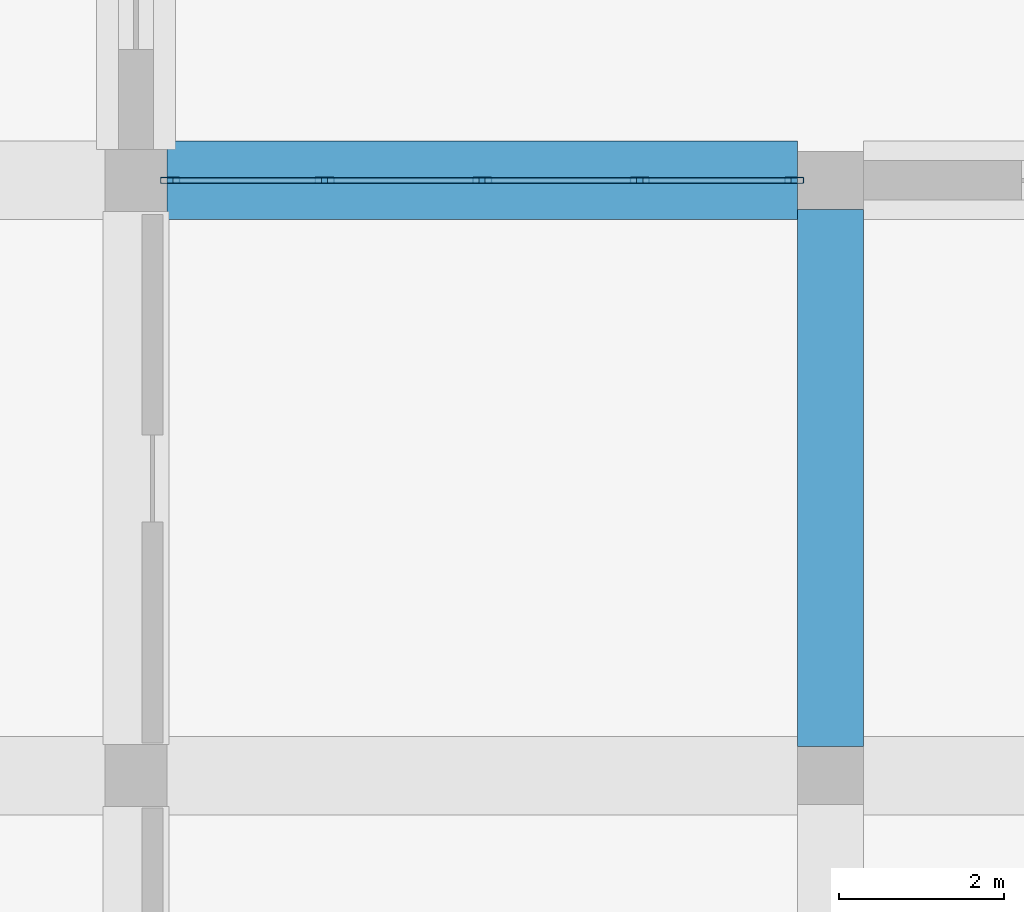
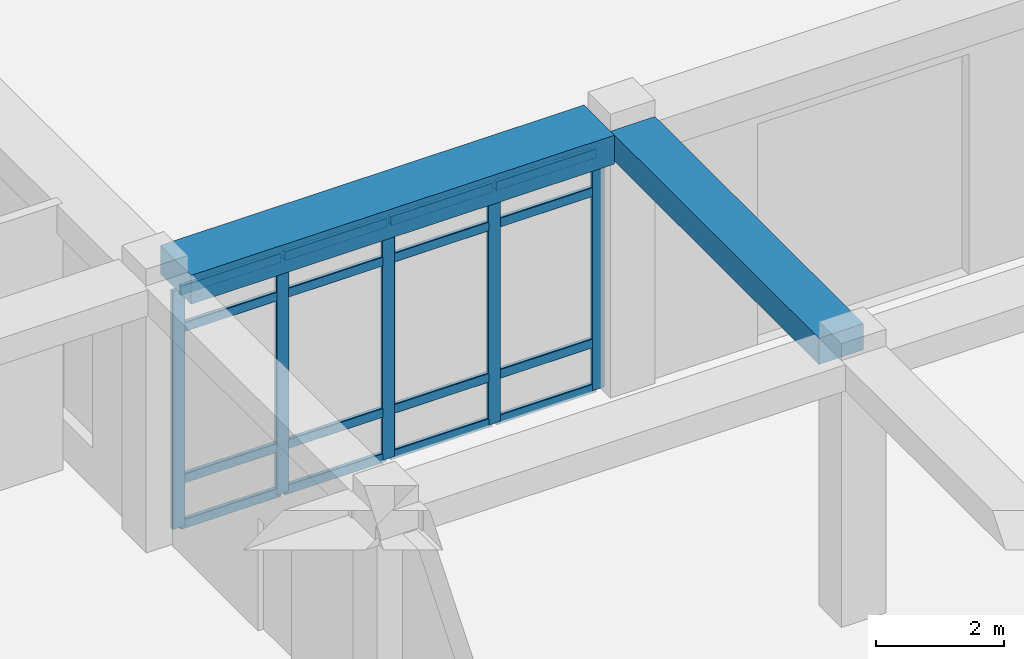
# One storey, part 37 of 84: 21 members, 2 beams, 1 element without a shape of its own.
"""IFC4 building model written with IfcOpenShell, lengths in metres."""

from ifc_helpers import new_model, si_unit, derived_unit, direction, frame, origin, origin_2d, place, context, subcontext, project, spatial, rectangle, hollow_rectangle, extrude, material, material_profile, profile_set, type_object, element, aggregate, save


model = new_model("IFC4")

# Units and contexts
model_context = context("Model", 3, precision=1e-05, world=origin(), true_north=direction((0.0, 1.0)))
body_context = subcontext(model_context, "Body", "Model", "MODEL_VIEW")
ifc_project = project(units=[si_unit("LENGTHUNIT", "METRE"), si_unit("AREAUNIT", "SQUARE_METRE"), si_unit("VOLUMEUNIT", "CUBIC_METRE"), si_unit("PLANEANGLEUNIT", "RADIAN"), si_unit("MASSUNIT", "GRAM", prefix="KILO"), derived_unit("THERMALTRANSMITTANCEUNIT", [(si_unit("POWERUNIT", "WATT"), 1), (si_unit("LENGTHUNIT", "METRE"), -2), (si_unit("THERMODYNAMICTEMPERATUREUNIT", "KELVIN"), -1)])], contexts=[model_context])

# Site, building, storey
site_placement = place(None, origin())
site = spatial("IfcSite", under=ifc_project, at=site_placement, CompositionType="ELEMENT")
building_placement = place(site_placement, origin())
building = spatial("IfcBuilding", under=site, at=building_placement, Name="Veybourne Emporium", CompositionType="ELEMENT")
storey_placement = place(building_placement, origin())
storey = spatial("IfcBuildingStorey", under=building, at=storey_placement, Name="L00", CompositionType="ELEMENT", Elevation=0.0)

# Curtain wall, members
ifc_material_1 = material(Name="Patinated Architectural Bronze", Category="bronze")
curtain_wall_type = type_object("IfcCurtainWallType", Name="CWSystem_CWS-10", PredefinedType="NOTDEFINED", material=ifc_material_1)
curtain_wall_placement = place(storey_placement, origin())
curtain_wall = element("IfcCurtainWall", 1, at=curtain_wall_placement, inside=storey, type_object=curtain_wall_type, Name="L00 bronze glazed curtain wall CWS-10 (056)", PredefinedType="NOTDEFINED")
ifc_material_profile_1 = material_profile(ifc_material_1, hollow_rectangle(XDim=0.074951171875, YDim=0.22998046875, WallThickness=0.0048828125, InnerFilletRadius=0.007568359375, OuterFilletRadius=0.012451171875, at=origin_2d()), Name="CWM 75x230x5")
ifc_profile_set_1 = profile_set([ifc_material_profile_1], Name="Patinated Architectural Bronze")
member_type_1 = type_object("IfcMemberType", Name="CWMullion_CW-M2", PredefinedType="MULLION", material=ifc_profile_set_1)
member_1_placement = place(storey_placement, frame((101.21240234375, 93.60009765625, 0.0), z_axis=(0.0, 0.0, 1.0), x_axis=(0.0, 1.0, 0.0)))
member_1 = element("IfcMember", 2, at=member_1_placement, type_object=member_type_1, Name="CWS-10 mullion 1", PredefinedType="MULLION", context=body_context, shape_type="SweptSolid", body=[
    extrude(hollow_rectangle(XDim=0.074951171875, YDim=0.22998046875, WallThickness=0.0048828125, InnerFilletRadius=0.007568359375, OuterFilletRadius=0.012451171875, at=origin_2d()), origin(), (0.0, 0.0, 1.0), 4.530029296875),
])
member_2_placement = place(storey_placement, frame((103.081298828125, 93.60009765625, 0.0), z_axis=(0.0, 0.0, 1.0), x_axis=(0.0, 1.0, 0.0)))
member_2 = element("IfcMember", 3, at=member_2_placement, type_object=member_type_1, Name="CWS-10 mullion 2", PredefinedType="MULLION", context=body_context, shape_type="SweptSolid", body=[
    extrude(hollow_rectangle(XDim=0.074951171875, YDim=0.22998046875, WallThickness=0.0048828125, InnerFilletRadius=0.007568359375, OuterFilletRadius=0.012451171875, at=origin_2d()), origin(), (0.0, 0.0, 1.0), 4.530029296875),
])
member_3_placement = place(storey_placement, frame((104.987548828125, 93.60009765625, 0.0), z_axis=(0.0, 0.0, 1.0), x_axis=(0.0, 1.0, 0.0)))
member_3 = element("IfcMember", 4, at=member_3_placement, type_object=member_type_1, Name="CWS-10 mullion 3", PredefinedType="MULLION", context=body_context, shape_type="SweptSolid", body=[
    extrude(hollow_rectangle(XDim=0.074951171875, YDim=0.22998046875, WallThickness=0.0048828125, InnerFilletRadius=0.007568359375, OuterFilletRadius=0.012451171875, at=origin_2d()), origin(), (0.0, 0.0, 1.0), 4.530029296875),
])
member_4_placement = place(storey_placement, frame((106.893798828125, 93.60009765625, 0.0), z_axis=(0.0, 0.0, 1.0), x_axis=(0.0, 1.0, 0.0)))
member_4 = element("IfcMember", 5, at=member_4_placement, type_object=member_type_1, Name="CWS-10 mullion 4", PredefinedType="MULLION", context=body_context, shape_type="SweptSolid", body=[
    extrude(hollow_rectangle(XDim=0.074951171875, YDim=0.22998046875, WallThickness=0.0048828125, InnerFilletRadius=0.007568359375, OuterFilletRadius=0.012451171875, at=origin_2d()), origin(), (0.0, 0.0, 1.0), 4.530029296875),
])
member_5_placement = place(storey_placement, frame((108.762451171875, 93.60009765625, 0.0), z_axis=(0.0, 0.0, 1.0), x_axis=(0.0, 1.0, 0.0)))
member_5 = element("IfcMember", 6, at=member_5_placement, type_object=member_type_1, Name="CWS-10 mullion 5", PredefinedType="MULLION", context=body_context, shape_type="SweptSolid", body=[
    extrude(hollow_rectangle(XDim=0.074951171875, YDim=0.22998046875, WallThickness=0.0048828125, InnerFilletRadius=0.007568359375, OuterFilletRadius=0.012451171875, at=origin_2d()), origin(), (0.0, 0.0, 1.0), 4.530029296875),
])
ifc_material_profile_2 = material_profile(ifc_material_1, hollow_rectangle(XDim=0.074951171875, YDim=0.179931640625, WallThickness=0.0048828125, InnerFilletRadius=0.007568359375, OuterFilletRadius=0.012451171875, at=origin_2d()), Name="CWT 75x180x5")
ifc_profile_set_2 = profile_set([ifc_material_profile_2], Name="Patinated Architectural Bronze")
member_type_2 = type_object("IfcMemberType", Name="CWTransom_CW-T2", PredefinedType="NOTDEFINED", material=ifc_profile_set_2)
member_6_placement = place(storey_placement, frame((101.25, 93.60009765625, 0.03759765625), z_axis=(1.0, 0.0, 0.0), x_axis=(0.0, 1.0, 0.0)))
member_6 = element("IfcMember", 7, at=member_6_placement, type_object=member_type_2, Name="CWS-10 transom 1.1", ObjectType="TRANSOM", PredefinedType="USERDEFINED", context=body_context, shape_type="SweptSolid", body=[
    extrude(hollow_rectangle(XDim=0.074951171875, YDim=0.179931640625, WallThickness=0.0048828125, InnerFilletRadius=0.007568359375, OuterFilletRadius=0.012451171875, at=origin_2d()), origin(), (0.0, 0.0, 1.0), 1.793701171875),
])
member_7_placement = place(storey_placement, frame((101.25, 93.60009765625, 0.89990234375), z_axis=(1.0, 0.0, 0.0), x_axis=(0.0, 1.0, 0.0)))
member_7 = element("IfcMember", 8, at=member_7_placement, type_object=member_type_2, Name="CWS-10 transom 1.2", ObjectType="TRANSOM", PredefinedType="USERDEFINED", context=body_context, shape_type="SweptSolid", body=[
    extrude(hollow_rectangle(XDim=0.074951171875, YDim=0.179931640625, WallThickness=0.0048828125, InnerFilletRadius=0.007568359375, OuterFilletRadius=0.012451171875, at=origin_2d()), origin(), (0.0, 0.0, 1.0), 1.793701171875),
])
member_8_placement = place(storey_placement, frame((101.25, 93.60009765625, 3.780029296875), z_axis=(1.0, 0.0, 0.0), x_axis=(0.0, 1.0, 0.0)))
member_8 = element("IfcMember", 9, at=member_8_placement, type_object=member_type_2, Name="CWS-10 transom 1.3", ObjectType="TRANSOM", PredefinedType="USERDEFINED", context=body_context, shape_type="SweptSolid", body=[
    extrude(hollow_rectangle(XDim=0.074951171875, YDim=0.179931640625, WallThickness=0.0048828125, InnerFilletRadius=0.007568359375, OuterFilletRadius=0.012451171875, at=origin_2d()), origin(), (0.0, 0.0, 1.0), 1.793701171875),
])
member_9_placement = place(storey_placement, frame((101.25, 93.60009765625, 4.492431640625), z_axis=(1.0, 0.0, 0.0), x_axis=(0.0, 1.0, 0.0)))
member_9 = element("IfcMember", 10, at=member_9_placement, type_object=member_type_2, Name="CWS-10 transom 1.4", ObjectType="TRANSOM", PredefinedType="USERDEFINED", context=body_context, shape_type="SweptSolid", body=[
    extrude(hollow_rectangle(XDim=0.074951171875, YDim=0.179931640625, WallThickness=0.0048828125, InnerFilletRadius=0.007568359375, OuterFilletRadius=0.012451171875, at=origin_2d()), origin(), (0.0, 0.0, 1.0), 1.793701171875),
])
member_10_placement = place(storey_placement, frame((103.11865234375, 93.60009765625, 0.03759765625), z_axis=(1.0, 0.0, 0.0), x_axis=(0.0, 1.0, 0.0)))
member_10 = element("IfcMember", 11, at=member_10_placement, type_object=member_type_2, Name="CWS-10 transom 2.1", ObjectType="TRANSOM", PredefinedType="USERDEFINED", context=body_context, shape_type="SweptSolid", body=[
    extrude(hollow_rectangle(XDim=0.074951171875, YDim=0.179931640625, WallThickness=0.0048828125, InnerFilletRadius=0.007568359375, OuterFilletRadius=0.012451171875, at=origin_2d()), origin(), (0.0, 0.0, 1.0), 1.831298828125),
])
member_11_placement = place(storey_placement, frame((103.11865234375, 93.60009765625, 0.89990234375), z_axis=(1.0, 0.0, 0.0), x_axis=(0.0, 1.0, 0.0)))
member_11 = element("IfcMember", 12, at=member_11_placement, type_object=member_type_2, Name="CWS-10 transom 2.2", ObjectType="TRANSOM", PredefinedType="USERDEFINED", context=body_context, shape_type="SweptSolid", body=[
    extrude(hollow_rectangle(XDim=0.074951171875, YDim=0.179931640625, WallThickness=0.0048828125, InnerFilletRadius=0.007568359375, OuterFilletRadius=0.012451171875, at=origin_2d()), origin(), (0.0, 0.0, 1.0), 1.831298828125),
])
member_12_placement = place(storey_placement, frame((103.11865234375, 93.60009765625, 3.780029296875), z_axis=(1.0, 0.0, 0.0), x_axis=(0.0, 1.0, 0.0)))
member_12 = element("IfcMember", 13, at=member_12_placement, type_object=member_type_2, Name="CWS-10 transom 2.3", ObjectType="TRANSOM", PredefinedType="USERDEFINED", context=body_context, shape_type="SweptSolid", body=[
    extrude(hollow_rectangle(XDim=0.074951171875, YDim=0.179931640625, WallThickness=0.0048828125, InnerFilletRadius=0.007568359375, OuterFilletRadius=0.012451171875, at=origin_2d()), origin(), (0.0, 0.0, 1.0), 1.831298828125),
])
member_13_placement = place(storey_placement, frame((103.11865234375, 93.60009765625, 4.492431640625), z_axis=(1.0, 0.0, 0.0), x_axis=(0.0, 1.0, 0.0)))
member_13 = element("IfcMember", 14, at=member_13_placement, type_object=member_type_2, Name="CWS-10 transom 2.4", ObjectType="TRANSOM", PredefinedType="USERDEFINED", context=body_context, shape_type="SweptSolid", body=[
    extrude(hollow_rectangle(XDim=0.074951171875, YDim=0.179931640625, WallThickness=0.0048828125, InnerFilletRadius=0.007568359375, OuterFilletRadius=0.012451171875, at=origin_2d()), origin(), (0.0, 0.0, 1.0), 1.831298828125),
])
member_14_placement = place(storey_placement, frame((105.02490234375, 93.60009765625, 0.03759765625), z_axis=(1.0, 0.0, 0.0), x_axis=(0.0, 1.0, 0.0)))
member_14 = element("IfcMember", 15, at=member_14_placement, type_object=member_type_2, Name="CWS-10 transom 3.1", ObjectType="TRANSOM", PredefinedType="USERDEFINED", context=body_context, shape_type="SweptSolid", body=[
    extrude(hollow_rectangle(XDim=0.074951171875, YDim=0.179931640625, WallThickness=0.0048828125, InnerFilletRadius=0.007568359375, OuterFilletRadius=0.012451171875, at=origin_2d()), origin(), (0.0, 0.0, 1.0), 1.831298828125),
])
member_15_placement = place(storey_placement, frame((105.02490234375, 93.60009765625, 0.89990234375), z_axis=(1.0, 0.0, 0.0), x_axis=(0.0, 1.0, 0.0)))
member_15 = element("IfcMember", 16, at=member_15_placement, type_object=member_type_2, Name="CWS-10 transom 3.2", ObjectType="TRANSOM", PredefinedType="USERDEFINED", context=body_context, shape_type="SweptSolid", body=[
    extrude(hollow_rectangle(XDim=0.074951171875, YDim=0.179931640625, WallThickness=0.0048828125, InnerFilletRadius=0.007568359375, OuterFilletRadius=0.012451171875, at=origin_2d()), origin(), (0.0, 0.0, 1.0), 1.831298828125),
])
member_16_placement = place(storey_placement, frame((105.02490234375, 93.60009765625, 3.780029296875), z_axis=(1.0, 0.0, 0.0), x_axis=(0.0, 1.0, 0.0)))
member_16 = element("IfcMember", 17, at=member_16_placement, type_object=member_type_2, Name="CWS-10 transom 3.3", ObjectType="TRANSOM", PredefinedType="USERDEFINED", context=body_context, shape_type="SweptSolid", body=[
    extrude(hollow_rectangle(XDim=0.074951171875, YDim=0.179931640625, WallThickness=0.0048828125, InnerFilletRadius=0.007568359375, OuterFilletRadius=0.012451171875, at=origin_2d()), origin(), (0.0, 0.0, 1.0), 1.831298828125),
])
member_17_placement = place(storey_placement, frame((105.02490234375, 93.60009765625, 4.492431640625), z_axis=(1.0, 0.0, 0.0), x_axis=(0.0, 1.0, 0.0)))
member_17 = element("IfcMember", 18, at=member_17_placement, type_object=member_type_2, Name="CWS-10 transom 3.4", ObjectType="TRANSOM", PredefinedType="USERDEFINED", context=body_context, shape_type="SweptSolid", body=[
    extrude(hollow_rectangle(XDim=0.074951171875, YDim=0.179931640625, WallThickness=0.0048828125, InnerFilletRadius=0.007568359375, OuterFilletRadius=0.012451171875, at=origin_2d()), origin(), (0.0, 0.0, 1.0), 1.831298828125),
])
member_18_placement = place(storey_placement, frame((106.93115234375, 93.60009765625, 0.03759765625), z_axis=(1.0, 0.0, 0.0), x_axis=(0.0, 1.0, 0.0)))
member_18 = element("IfcMember", 19, at=member_18_placement, type_object=member_type_2, Name="CWS-10 transom 4.1", ObjectType="TRANSOM", PredefinedType="USERDEFINED", context=body_context, shape_type="SweptSolid", body=[
    extrude(hollow_rectangle(XDim=0.074951171875, YDim=0.179931640625, WallThickness=0.0048828125, InnerFilletRadius=0.007568359375, OuterFilletRadius=0.012451171875, at=origin_2d()), origin(), (0.0, 0.0, 1.0), 1.7939453125),
])
member_19_placement = place(storey_placement, frame((106.93115234375, 93.60009765625, 0.89990234375), z_axis=(1.0, 0.0, 0.0), x_axis=(0.0, 1.0, 0.0)))
member_19 = element("IfcMember", 20, at=member_19_placement, type_object=member_type_2, Name="CWS-10 transom 4.2", ObjectType="TRANSOM", PredefinedType="USERDEFINED", context=body_context, shape_type="SweptSolid", body=[
    extrude(hollow_rectangle(XDim=0.074951171875, YDim=0.179931640625, WallThickness=0.0048828125, InnerFilletRadius=0.007568359375, OuterFilletRadius=0.012451171875, at=origin_2d()), origin(), (0.0, 0.0, 1.0), 1.7939453125),
])
member_20_placement = place(storey_placement, frame((106.93115234375, 93.60009765625, 3.780029296875), z_axis=(1.0, 0.0, 0.0), x_axis=(0.0, 1.0, 0.0)))
member_20 = element("IfcMember", 21, at=member_20_placement, type_object=member_type_2, Name="CWS-10 transom 4.3", ObjectType="TRANSOM", PredefinedType="USERDEFINED", context=body_context, shape_type="SweptSolid", body=[
    extrude(hollow_rectangle(XDim=0.074951171875, YDim=0.179931640625, WallThickness=0.0048828125, InnerFilletRadius=0.007568359375, OuterFilletRadius=0.012451171875, at=origin_2d()), origin(), (0.0, 0.0, 1.0), 1.7939453125),
])
member_21_placement = place(storey_placement, frame((106.93115234375, 93.60009765625, 4.492431640625), z_axis=(1.0, 0.0, 0.0), x_axis=(0.0, 1.0, 0.0)))
member_21 = element("IfcMember", 22, at=member_21_placement, type_object=member_type_2, Name="CWS-10 transom 4.4", ObjectType="TRANSOM", PredefinedType="USERDEFINED", context=body_context, shape_type="SweptSolid", body=[
    extrude(hollow_rectangle(XDim=0.074951171875, YDim=0.179931640625, WallThickness=0.0048828125, InnerFilletRadius=0.007568359375, OuterFilletRadius=0.012451171875, at=origin_2d()), origin(), (0.0, 0.0, 1.0), 1.7939453125),
])
aggregate(curtain_wall, [member_1, member_2, member_3, member_4, member_5, member_6, member_7, member_8, member_9, member_10, member_11, member_12, member_13, member_14, member_15, member_16, member_17, member_18, member_19, member_20, member_21])

# Beams
ifc_material_2 = material(Name="Concrete C32/40", Category="concrete")
ifc_material_profile_3 = material_profile(ifc_material_2, rectangle(XDim=0.800048828125, YDim=0.5, at=origin_2d()), Name="RC 800x500")
ifc_profile_set_3 = profile_set([ifc_material_profile_3], Name="Concrete C32/40")
beam_type_1 = type_object("IfcBeamType", Name="RCBeam_BB-02", PredefinedType="BEAM", material=ifc_profile_set_3)
beam_1_placement = place(storey_placement, frame((109.199951171875, 86.75, 4.830078125), z_axis=(0.0, 1.0, 0.0), x_axis=(-1.0, 0.0, 0.0)))
element("IfcBeam", 23, at=beam_1_placement, inside=storey, type_object=beam_type_1, Name="L00 Y-grid beam BB-02 (13,12)", PredefinedType="BEAM", context=body_context, shape_type="SweptSolid", body=[
    extrude(rectangle(XDim=0.800048828125, YDim=0.5, at=origin_2d()), origin(), (0.0, 0.0, 1.0), 6.5),
])
ifc_material_profile_4 = material_profile(ifc_material_2, rectangle(XDim=0.949951171875, YDim=0.550048828125, at=origin_2d()), Name="RC 950x550")
ifc_profile_set_4 = profile_set([ifc_material_profile_4], Name="Concrete C32/40")
beam_type_2 = type_object("IfcBeamType", Name="RCBeam_EB-01", PredefinedType="SPANDREL", material=ifc_profile_set_4)
beam_2_placement = place(storey_placement, frame((101.175048828125, 93.60009765625, 4.804931640625), z_axis=(1.0, 0.0, 0.0), x_axis=(0.0, 1.0, 0.0)))
element("IfcBeam", 24, at=beam_2_placement, inside=storey, type_object=beam_type_2, Name="L00 X-grid beam EB-01 (12,13)", PredefinedType="SPANDREL", context=body_context, shape_type="SweptSolid", body=[
    extrude(rectangle(XDim=0.949951171875, YDim=0.550048828125, at=origin_2d()), origin(), (0.0, 0.0, 1.0), 7.625),
])

save(model, "model.ifc")
